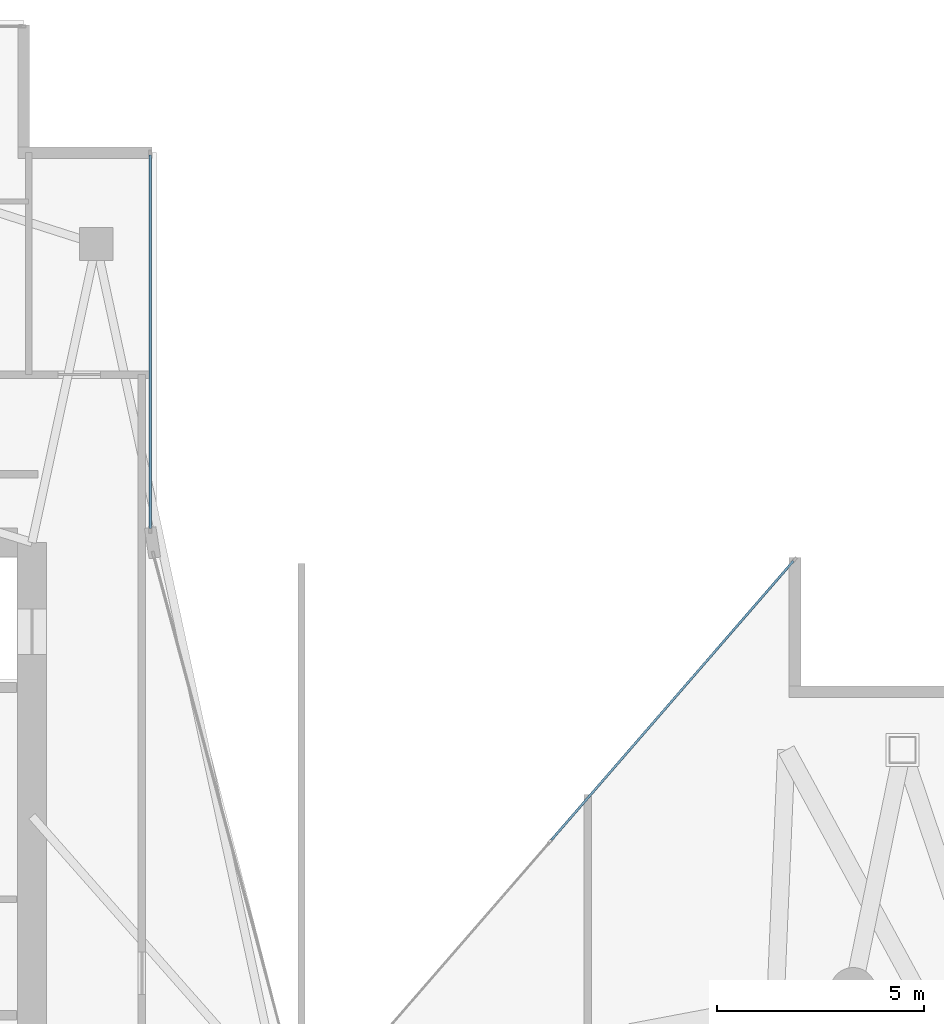
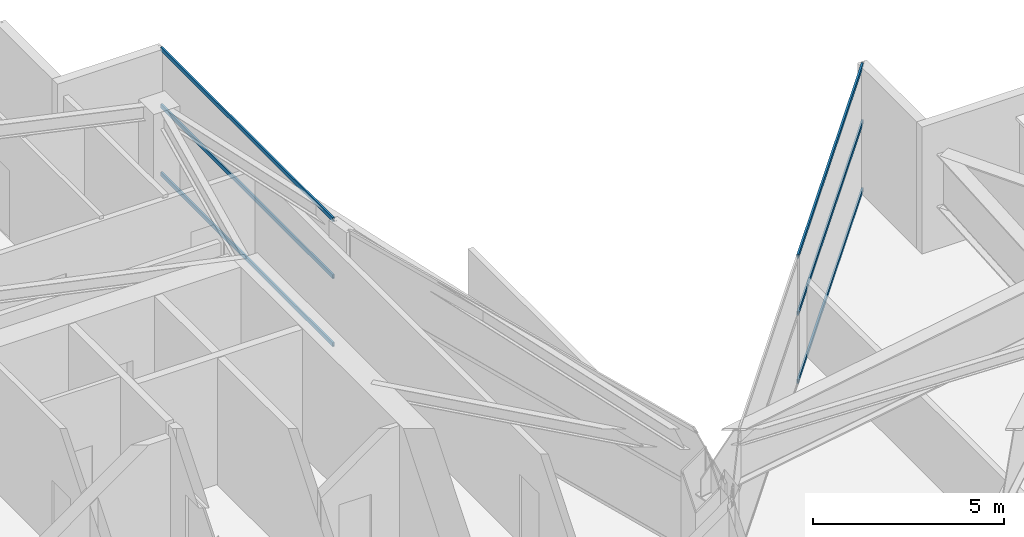
# One storey, part 20 of 29: 6 members, 2 elements without a shape of their own.
"""IFC4 building model written with IfcOpenShell, lengths in metres."""

from ifc_helpers import new_model, si_unit, direction, frame, origin, origin_2d, place, context, subcontext, project, spatial, hollow_rectangle, extrude, material, layer, layer_set, material_profile, profile_set, type_object, element, aggregate, save


model = new_model("IFC4")

# Units and contexts
model_context = context("Model", 3, precision=1e-05, world=origin(), true_north=direction((0.0, 1.0)))
body_context = subcontext(model_context, "Body", "Model", "MODEL_VIEW")
ifc_project = project(units=[si_unit("LENGTHUNIT", "METRE"), si_unit("AREAUNIT", "SQUARE_METRE"), si_unit("VOLUMEUNIT", "CUBIC_METRE"), si_unit("PLANEANGLEUNIT", "RADIAN"), si_unit("MASSUNIT", "GRAM", prefix="KILO")], contexts=[model_context])

# Site, building, storey
site_placement = place(None, origin())
site = spatial("IfcSite", under=ifc_project, at=site_placement, CompositionType="ELEMENT")
building_placement = place(site_placement, origin())
building = spatial("IfcBuilding", under=site, at=building_placement, Name="Calvorn Quay Hotel", CompositionType="ELEMENT")
storey_placement = place(building_placement, frame((0.0, 0.0, 259.0)))
storey = spatial("IfcBuildingStorey", under=building, at=storey_placement, Name="L64", CompositionType="ELEMENT", Elevation=259.0)

# Curtain wall, members
ifc_material_1 = material(Name="Champagne Bronze Anodised Aluminium and Low-E Glass", Category="aluminium")
ifc_layer = layer(ifc_material_1, 0.219970703125)
ifc_layer_set = layer_set([ifc_layer], Name="CW-SYS-Z4")
curtain_wall_type = type_object("IfcCurtainWallType", Name="CW-SYS-Z4", PredefinedType="NOTDEFINED", material=ifc_layer_set)
curtain_wall_1_placement = place(storey_placement, origin())
curtain_wall_1 = element("IfcCurtainWall", 1, at=curtain_wall_1_placement, inside=storey, type_object=curtain_wall_type, Name="Inner Court Curtain Wall L64-NE1", PredefinedType="NOTDEFINED")
ifc_material_2 = material(Name="Champagne Bronze Anodised Aluminium 6063-T6", Category="aluminium")
ifc_material_profile = material_profile(ifc_material_2, hollow_rectangle(XDim=0.054931640625, YDim=0.1298828125, WallThickness=0.003173828125, at=origin_2d()), Name="ALU-T130x55x3.2")
ifc_profile_set = profile_set([ifc_material_profile], Name="Champagne Bronze Anodised Aluminium 6063-T6")
member_type = type_object("IfcMemberType", Name="CW-SYS-Z4-TRN", PredefinedType="USERDEFINED", material=ifc_profile_set)
member_1_placement = place(storey_placement, frame((33.360595703125, 37.95458984375, 0.030029296875), z_axis=(-0.65534550322, -0.755329247024, 0.0), x_axis=(0.755329247024, -0.65534550322, 0.0)))
member_1 = element("IfcMember", 2, at=member_1_placement, type_object=member_type, Name="CW-L64-NE1 transom 1.1", ObjectType="TRANSOM", PredefinedType="USERDEFINED", context=body_context, shape_type="SweptSolid", body=[
    extrude(hollow_rectangle(XDim=0.054931640625, YDim=0.1298828125, WallThickness=0.003173828125, at=origin_2d()), origin(), (0.0, 0.0, 1.0), 8.91259765625),
])
member_2_placement = place(storey_placement, frame((33.360595703125, 37.95458984375, 2.199951171875), z_axis=(-0.65534550322, -0.755329247024, 0.0), x_axis=(0.755329247024, -0.65534550322, 0.0)))
member_2 = element("IfcMember", 3, at=member_2_placement, type_object=member_type, Name="CW-L64-NE1 transom 1.2", ObjectType="TRANSOM", PredefinedType="USERDEFINED", context=body_context, shape_type="SweptSolid", body=[
    extrude(hollow_rectangle(XDim=0.054931640625, YDim=0.1298828125, WallThickness=0.003173828125, at=origin_2d()), origin(), (0.0, 0.0, 1.0), 8.91259765625),
])
member_3_placement = place(storey_placement, frame((33.360595703125, 37.95458984375, 4.02001953125), z_axis=(-0.65534550322, -0.755329247024, 0.0), x_axis=(0.755329247024, -0.65534550322, 0.0)))
member_3 = element("IfcMember", 4, at=member_3_placement, type_object=member_type, Name="CW-L64-NE1 transom 1.3", ObjectType="TRANSOM", PredefinedType="USERDEFINED", context=body_context, shape_type="SweptSolid", body=[
    extrude(hollow_rectangle(XDim=0.054931640625, YDim=0.1298828125, WallThickness=0.003173828125, at=origin_2d()), origin(), (0.0, 0.0, 1.0), 8.91259765625),
])
aggregate(curtain_wall_1, [member_1, member_2, member_3])

curtain_wall_2_placement = place(storey_placement, origin())
curtain_wall_2 = element("IfcCurtainWall", 5, at=curtain_wall_2_placement, inside=storey, type_object=curtain_wall_type, Name="Inner Court Curtain Wall L64-IC2", PredefinedType="NOTDEFINED")
member_4_placement = place(storey_placement, frame((17.85009765625, 38.739990234375, 0.030029296875), z_axis=(0.0, 1.0, 0.0), x_axis=(-1.0, 0.0, 0.0)))
member_4 = element("IfcMember", 6, at=member_4_placement, type_object=member_type, Name="CW-L64-IC2 transom 1.1", ObjectType="TRANSOM", PredefinedType="USERDEFINED", context=body_context, shape_type="SweptSolid", body=[
    extrude(hollow_rectangle(XDim=0.054931640625, YDim=0.1298828125, WallThickness=0.003173828125, at=origin_2d()), origin(), (0.0, 0.0, 1.0), 9.0),
])
member_5_placement = place(storey_placement, frame((17.85009765625, 38.739990234375, 2.199951171875), z_axis=(0.0, 1.0, 0.0), x_axis=(-1.0, 0.0, 0.0)))
member_5 = element("IfcMember", 7, at=member_5_placement, type_object=member_type, Name="CW-L64-IC2 transom 1.2", ObjectType="TRANSOM", PredefinedType="USERDEFINED", context=body_context, shape_type="SweptSolid", body=[
    extrude(hollow_rectangle(XDim=0.054931640625, YDim=0.1298828125, WallThickness=0.003173828125, at=origin_2d()), origin(), (0.0, 0.0, 1.0), 9.0),
])
member_6_placement = place(storey_placement, frame((17.85009765625, 38.739990234375, 4.02001953125), z_axis=(0.0, 1.0, 0.0), x_axis=(-1.0, 0.0, 0.0)))
member_6 = element("IfcMember", 8, at=member_6_placement, type_object=member_type, Name="CW-L64-IC2 transom 1.3", ObjectType="TRANSOM", PredefinedType="USERDEFINED", context=body_context, shape_type="SweptSolid", body=[
    extrude(hollow_rectangle(XDim=0.054931640625, YDim=0.1298828125, WallThickness=0.003173828125, at=origin_2d()), origin(), (0.0, 0.0, 1.0), 9.0),
])
aggregate(curtain_wall_2, [member_4, member_5, member_6])

save(model, "model.ifc")
